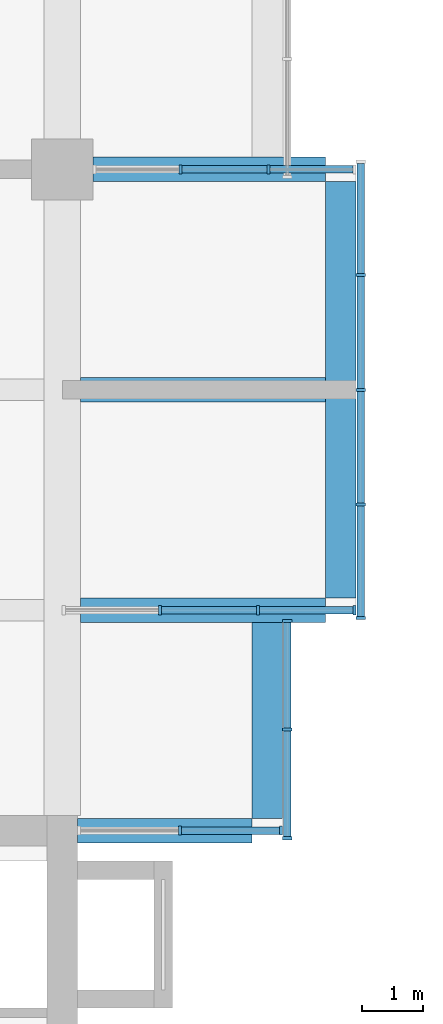
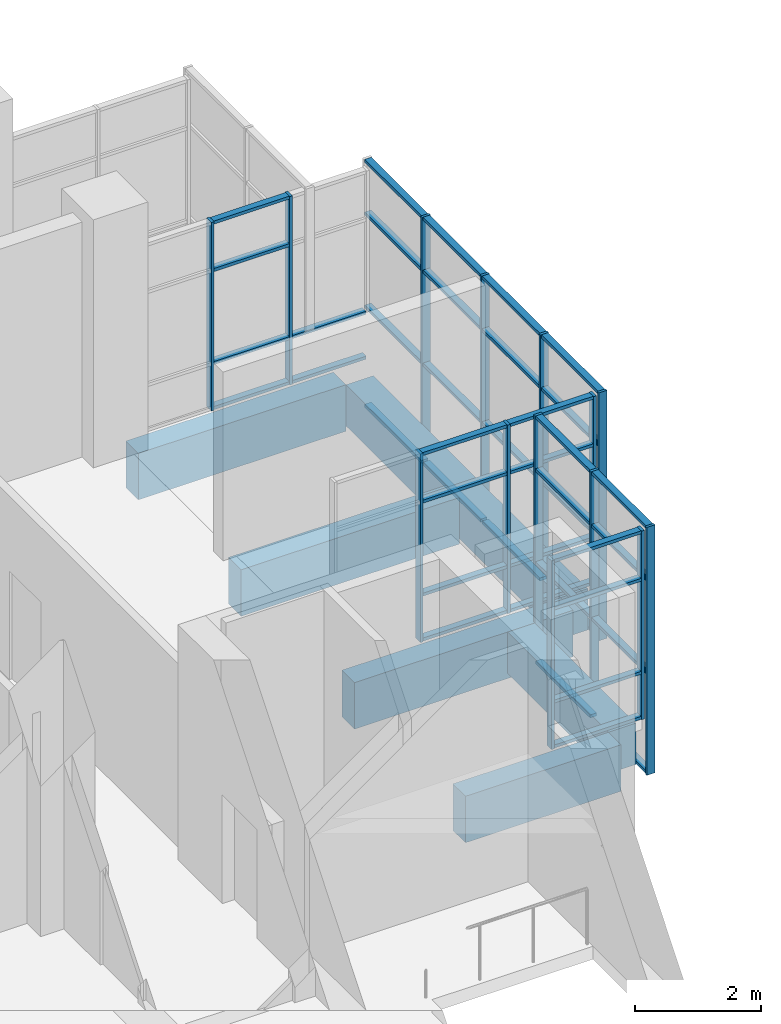
# One storey, part 13 of 44: 56 members, 7 beams, 5 elements without a shape of their own.
"""IFC4 building model written with IfcOpenShell, lengths in metres."""

from ifc_helpers import new_model, si_unit, direction, frame, origin, origin_2d, place, context, subcontext, project, spatial, rectangle, extrude, material, layer, layer_set, material_profile, profile_set, type_object, element, aggregate, save


model = new_model("IFC4")

# Units and contexts
model_context = context("Model", 3, precision=1e-05, world=origin(), true_north=direction((0.0, 1.0)))
body_context = subcontext(model_context, "Body", "Model", "MODEL_VIEW")
ifc_project = project(units=[si_unit("LENGTHUNIT", "METRE"), si_unit("AREAUNIT", "SQUARE_METRE"), si_unit("VOLUMEUNIT", "CUBIC_METRE"), si_unit("PLANEANGLEUNIT", "RADIAN"), si_unit("MASSUNIT", "GRAM", prefix="KILO")], contexts=[model_context])

# Site, building, storey
site_placement = place(None, origin())
site = spatial("IfcSite", under=ifc_project, at=site_placement, CompositionType="ELEMENT")
building_placement = place(site_placement, origin())
building = spatial("IfcBuilding", under=site, at=building_placement, Name="Basin Gate Institute", CompositionType="ELEMENT")
storey_placement = place(building_placement, frame((0.0, 0.0, 27.0)))
storey = spatial("IfcBuildingStorey", under=building, at=storey_placement, Name="L05", CompositionType="ELEMENT", Elevation=27.0)

# Beams
ifc_material_1 = material(Name="Concrete 50 MPa", Category="concrete")
ifc_material_profile_1 = material_profile(ifc_material_1, rectangle(XDim=0.39990234375, YDim=0.89990234375, at=origin_2d()), Name="Cantilever beam B3 400 x 900")
ifc_profile_set_1 = profile_set([ifc_material_profile_1], Name="Concrete 50 MPa")
beam_type_1 = type_object("IfcBeamType", Name="Cantilever beam B3 R120", PredefinedType="BEAM", material=ifc_profile_set_1)
beam_1_placement = place(storey_placement, frame((121.89990234375, 45.89990234375, -0.699951171875), z_axis=(-1.0, 0.0, 0.0), x_axis=(0.0, -1.0, 0.0)))
element("IfcBeam", 1, at=beam_1_placement, inside=storey, type_object=beam_type_1, material=ifc_profile_set_1, Name="BEAM/L05/E/CANT/04", PredefinedType="BEAM", context=body_context, shape_type="SweptSolid", body=[
    extrude(rectangle(XDim=0.39990234375, YDim=0.89990234375, at=origin_2d()), origin(), (0.0, 0.0, 1.0), 2.849853515625),
])
for number, where, z_axis, x_axis, name in (
    (2, (123.10009765625, 49.5, -0.699951171875), (-1.0, 0.0, 0.0), (0.0, -1.0, 0.0), "BEAM/L05/E/CANT/05"),
    (3, (123.10009765625, 53.10009765625, -0.699951171875), (-1.0, 0.0, 0.0), (0.0, -1.0, 0.0), "BEAM/L05/E/CANT/06"),
):
    element("IfcBeam", number, at=place(storey_placement, frame(where, z_axis=z_axis, x_axis=x_axis)), inside=storey, type_object=beam_type_1, material=ifc_profile_set_1, Name=name, PredefinedType="BEAM", context=body_context, shape_type="SweptSolid", body=[
        extrude(rectangle(XDim=0.39990234375, YDim=0.89990234375, at=origin_2d()), origin(), (0.0, 0.0, 1.0), 4.0),
    ])
beam_2_placement = place(storey_placement, frame((123.10009765625, 56.699951171875, -0.699951171875), z_axis=(-1.0, 0.0, 0.0), x_axis=(0.0, -1.0, 0.0)))
element("IfcBeam", 4, at=beam_2_placement, inside=storey, type_object=beam_type_1, material=ifc_profile_set_1, Name="BEAM/L05/E/CANT/07", PredefinedType="BEAM", context=body_context, shape_type="SweptSolid", body=[
    extrude(rectangle(XDim=0.39990234375, YDim=0.89990234375, at=origin_2d()), origin(), (0.0, 0.0, 1.0), 3.800048828125),
])

# Curtain wall, members
ifc_material_2 = material(Name="Aluminium-framed glazing", Category="aluminium")
ifc_layer = layer(ifc_material_2, 0.14990234375)
ifc_layer_set = layer_set([ifc_layer], Name="Capsule front curtain wall CW1")
curtain_wall_type = type_object("IfcCurtainWallType", Name="Capsule front curtain wall CW1", PredefinedType="NOTDEFINED", material=ifc_layer_set)
curtain_wall_1_placement = place(storey_placement, origin())
curtain_wall_1 = element("IfcCurtainWall", 5, at=curtain_wall_1_placement, inside=storey, type_object=curtain_wall_type, material=ifc_layer_set, Name="Capsule front curtain wall E wing capsule end L05 line 4", PredefinedType="NOTDEFINED")
ifc_material_3 = material(Name="Aluminium", Category="aluminium")
ifc_material_profile_2 = material_profile(ifc_material_3, rectangle(XDim=0.14990234375, YDim=0.050048828125, at=origin_2d()), Name="Mullion MU1 150 x 50")
ifc_profile_set_2 = profile_set([ifc_material_profile_2], Name="Aluminium")
member_type_1 = type_object("IfcMemberType", Name="Mullion MU1", PredefinedType="MULLION", material=ifc_profile_set_2)
member_1_placement = place(storey_placement, frame((122.375, 45.89990234375, 0.0), z_axis=(0.0, 0.0, 1.0), x_axis=(0.0, -1.0, 0.0)))
member_1 = element("IfcMember", 6, at=member_1_placement, type_object=member_type_1, material=ifc_profile_set_2, Name="CW1 mullion 1", PredefinedType="MULLION", context=body_context, shape_type="SweptSolid", body=[
    extrude(rectangle(XDim=0.14990234375, YDim=0.050048828125, at=origin_2d()), origin(), (0.0, 0.0, 1.0), 3.64990234375),
])
member_2_placement = place(storey_placement, frame((120.72509765625, 45.89990234375, 0.0), z_axis=(0.0, 0.0, 1.0), x_axis=(0.0, -1.0, 0.0)))
member_2 = element("IfcMember", 7, at=member_2_placement, type_object=member_type_1, material=ifc_profile_set_2, Name="CW1 mullion 2", PredefinedType="MULLION", context=body_context, shape_type="SweptSolid", body=[
    extrude(rectangle(XDim=0.14990234375, YDim=0.050048828125, at=origin_2d()), origin(), (0.0, 0.0, 1.0), 3.64990234375),
])

curtain_wall_2_placement = place(storey_placement, origin())
curtain_wall_2 = element("IfcCurtainWall", 8, at=curtain_wall_2_placement, inside=storey, type_object=curtain_wall_type, material=ifc_layer_set, Name="Capsule front curtain wall E wing capsule end L05 line 5", PredefinedType="NOTDEFINED")
member_3_placement = place(storey_placement, frame((123.574951171875, 49.5, 0.0), z_axis=(0.0, 0.0, 1.0), x_axis=(0.0, -1.0, 0.0)))
member_3 = element("IfcMember", 9, at=member_3_placement, type_object=member_type_1, material=ifc_profile_set_2, Name="CW1 mullion 1", PredefinedType="MULLION", context=body_context, shape_type="SweptSolid", body=[
    extrude(rectangle(XDim=0.14990234375, YDim=0.050048828125, at=origin_2d()), origin(), (0.0, 0.0, 1.0), 3.64990234375),
])
member_4_placement = place(storey_placement, frame((122.0, 49.5, 0.0), z_axis=(0.0, 0.0, 1.0), x_axis=(0.0, -1.0, 0.0)))
member_4 = element("IfcMember", 10, at=member_4_placement, type_object=member_type_1, material=ifc_profile_set_2, Name="CW1 mullion 2", PredefinedType="MULLION", context=body_context, shape_type="SweptSolid", body=[
    extrude(rectangle(XDim=0.14990234375, YDim=0.050048828125, at=origin_2d()), origin(), (0.0, 0.0, 1.0), 3.64990234375),
])
member_5_placement = place(storey_placement, frame((120.39990234375, 49.5, 0.0), z_axis=(0.0, 0.0, 1.0), x_axis=(0.0, -1.0, 0.0)))
member_5 = element("IfcMember", 11, at=member_5_placement, type_object=member_type_1, material=ifc_profile_set_2, Name="CW1 mullion 3", PredefinedType="MULLION", context=body_context, shape_type="SweptSolid", body=[
    extrude(rectangle(XDim=0.14990234375, YDim=0.050048828125, at=origin_2d()), origin(), (0.0, 0.0, 1.0), 3.64990234375),
])

curtain_wall_3_placement = place(storey_placement, origin())
curtain_wall_3 = element("IfcCurtainWall", 12, at=curtain_wall_3_placement, inside=storey, type_object=curtain_wall_type, material=ifc_layer_set, Name="Capsule front curtain wall E wing capsule end L05 line 7", PredefinedType="NOTDEFINED")
member_6_placement = place(storey_placement, frame((122.166748046875, 56.699951171875, 0.0), z_axis=(0.0, 0.0, 1.0), x_axis=(0.0, -1.0, 0.0)))
member_6 = element("IfcMember", 13, at=member_6_placement, type_object=member_type_1, material=ifc_profile_set_2, Name="CW1 mullion 2", PredefinedType="MULLION", context=body_context, shape_type="SweptSolid", body=[
    extrude(rectangle(XDim=0.14990234375, YDim=0.050048828125, at=origin_2d()), origin(), (0.0, 0.0, 1.0), 3.64990234375),
])
member_7_placement = place(storey_placement, frame((120.7333984375, 56.699951171875, 0.0), z_axis=(0.0, 0.0, 1.0), x_axis=(0.0, -1.0, 0.0)))
member_7 = element("IfcMember", 14, at=member_7_placement, type_object=member_type_1, material=ifc_profile_set_2, Name="CW1 mullion 3", PredefinedType="MULLION", context=body_context, shape_type="SweptSolid", body=[
    extrude(rectangle(XDim=0.14990234375, YDim=0.050048828125, at=origin_2d()), origin(), (0.0, 0.0, 1.0), 3.64990234375),
])

curtain_wall_4_placement = place(storey_placement, origin())
curtain_wall_4 = element("IfcCurtainWall", 15, at=curtain_wall_4_placement, inside=storey, type_object=curtain_wall_type, material=ifc_layer_set, Name="Capsule front curtain wall E wing capsule 1 L05 front 1", PredefinedType="NOTDEFINED")
member_8_placement = place(storey_placement, frame((122.47509765625, 45.77490234375, -1.050048828125), z_axis=(0.0, 0.0, 1.0), x_axis=(-1.0, 0.0, 0.0)))
member_8 = element("IfcMember", 16, at=member_8_placement, type_object=member_type_1, material=ifc_profile_set_2, Name="CW1 mullion 1", PredefinedType="MULLION", context=body_context, shape_type="SweptSolid", body=[
    extrude(rectangle(XDim=0.14990234375, YDim=0.050048828125, at=origin_2d()), origin(), (0.0, 0.0, 1.0), 4.800048828125),
])
member_9_placement = place(storey_placement, frame((122.47509765625, 47.550048828125, -1.050048828125), z_axis=(0.0, 0.0, 1.0), x_axis=(-1.0, 0.0, 0.0)))
member_9 = element("IfcMember", 17, at=member_9_placement, type_object=member_type_1, material=ifc_profile_set_2, Name="CW1 mullion 2", PredefinedType="MULLION", context=body_context, shape_type="SweptSolid", body=[
    extrude(rectangle(XDim=0.14990234375, YDim=0.050048828125, at=origin_2d()), origin(), (0.0, 0.0, 1.0), 4.800048828125),
])
member_10_placement = place(storey_placement, frame((122.47509765625, 49.324951171875, -1.050048828125), z_axis=(0.0, 0.0, 1.0), x_axis=(-1.0, 0.0, 0.0)))
member_10 = element("IfcMember", 18, at=member_10_placement, type_object=member_type_1, material=ifc_profile_set_2, Name="CW1 mullion 3", PredefinedType="MULLION", context=body_context, shape_type="SweptSolid", body=[
    extrude(rectangle(XDim=0.14990234375, YDim=0.050048828125, at=origin_2d()), origin(), (0.0, 0.0, 1.0), 4.800048828125),
])

curtain_wall_5_placement = place(storey_placement, origin())
curtain_wall_5 = element("IfcCurtainWall", 19, at=curtain_wall_5_placement, inside=storey, type_object=curtain_wall_type, material=ifc_layer_set, Name="Capsule front curtain wall E wing capsule 1 L05 front 2", PredefinedType="NOTDEFINED")
member_11_placement = place(storey_placement, frame((123.675048828125, 49.375, -1.050048828125), z_axis=(0.0, 0.0, 1.0), x_axis=(-1.0, 0.0, 0.0)))
member_11 = element("IfcMember", 20, at=member_11_placement, type_object=member_type_1, material=ifc_profile_set_2, Name="CW1 mullion 1", PredefinedType="MULLION", context=body_context, shape_type="SweptSolid", body=[
    extrude(rectangle(XDim=0.14990234375, YDim=0.050048828125, at=origin_2d()), origin(), (0.0, 0.0, 1.0), 4.800048828125),
])
member_12_placement = place(storey_placement, frame((123.675048828125, 51.22509765625, -1.050048828125), z_axis=(0.0, 0.0, 1.0), x_axis=(-1.0, 0.0, 0.0)))
member_12 = element("IfcMember", 21, at=member_12_placement, type_object=member_type_1, material=ifc_profile_set_2, Name="CW1 mullion 2", PredefinedType="MULLION", context=body_context, shape_type="SweptSolid", body=[
    extrude(rectangle(XDim=0.14990234375, YDim=0.050048828125, at=origin_2d()), origin(), (0.0, 0.0, 1.0), 4.800048828125),
])
member_13_placement = place(storey_placement, frame((123.675048828125, 53.10009765625, -1.050048828125), z_axis=(0.0, 0.0, 1.0), x_axis=(-1.0, 0.0, 0.0)))
member_13 = element("IfcMember", 22, at=member_13_placement, type_object=member_type_1, material=ifc_profile_set_2, Name="CW1 mullion 3", PredefinedType="MULLION", context=body_context, shape_type="SweptSolid", body=[
    extrude(rectangle(XDim=0.14990234375, YDim=0.050048828125, at=origin_2d()), origin(), (0.0, 0.0, 1.0), 4.800048828125),
])
member_14_placement = place(storey_placement, frame((123.675048828125, 54.97509765625, -1.050048828125), z_axis=(0.0, 0.0, 1.0), x_axis=(-1.0, 0.0, 0.0)))
member_14 = element("IfcMember", 23, at=member_14_placement, type_object=member_type_1, material=ifc_profile_set_2, Name="CW1 mullion 4", PredefinedType="MULLION", context=body_context, shape_type="SweptSolid", body=[
    extrude(rectangle(XDim=0.14990234375, YDim=0.050048828125, at=origin_2d()), origin(), (0.0, 0.0, 1.0), 4.800048828125),
])

# Beams
ifc_material_4 = material(Name="Concrete 50 MPa", Category="concrete")
ifc_material_profile_3 = material_profile(ifc_material_4, rectangle(XDim=0.5, YDim=0.800048828125, at=origin_2d()), Name="Tip beam TB1 500 x 800")
ifc_profile_set_3 = profile_set([ifc_material_profile_3], Name="Concrete 50 MPa")
beam_type_2 = type_object("IfcBeamType", Name="Tip beam TB1 R120", PredefinedType="SPANDREL", material=ifc_profile_set_3)
beam_3_placement = place(storey_placement, frame((122.14990234375, 46.10009765625, -0.64990234375), z_axis=(0.0, 1.0, 0.0), x_axis=(-1.0, 0.0, 0.0)))
element("IfcBeam", 24, at=beam_3_placement, inside=storey, type_object=beam_type_2, material=ifc_profile_set_3, Name="BEAM/L05/E/TIP/1", PredefinedType="SPANDREL", context=body_context, shape_type="SweptSolid", body=[
    extrude(rectangle(XDim=0.5, YDim=0.800048828125, at=origin_2d()), origin(), (0.0, 0.0, 1.0), 3.199951171875),
])
beam_4_placement = place(storey_placement, frame((123.35009765625, 49.699951171875, -0.64990234375), z_axis=(0.0, 1.0, 0.0), x_axis=(-1.0, 0.0, 0.0)))
element("IfcBeam", 25, at=beam_4_placement, inside=storey, type_object=beam_type_2, material=ifc_profile_set_3, Name="BEAM/L05/E/TIP/2", PredefinedType="SPANDREL", context=body_context, shape_type="SweptSolid", body=[
    extrude(rectangle(XDim=0.5, YDim=0.800048828125, at=origin_2d()), origin(), (0.0, 0.0, 1.0), 3.400146484375),
])
beam_5_placement = place(storey_placement, frame((123.35009765625, 53.10009765625, -0.64990234375), z_axis=(0.0, 1.0, 0.0), x_axis=(-1.0, 0.0, 0.0)))
element("IfcBeam", 26, at=beam_5_placement, inside=storey, type_object=beam_type_2, material=ifc_profile_set_3, Name="BEAM/L05/E/TIP/3", PredefinedType="SPANDREL", context=body_context, shape_type="SweptSolid", body=[
    extrude(rectangle(XDim=0.5, YDim=0.800048828125, at=origin_2d()), origin(), (0.0, 0.0, 1.0), 3.39990234375),
])

# Member
ifc_material_5 = material(Name="Aluminium", Category="aluminium")
ifc_material_profile_4 = material_profile(ifc_material_5, rectangle(XDim=0.1201171875, YDim=0.06005859375, at=origin_2d()), Name="Transom TR1 120 x 60")
ifc_profile_set_4 = profile_set([ifc_material_profile_4], Name="Aluminium")
member_type_2 = type_object("IfcMemberType", Name="Transom TR1", PredefinedType="USERDEFINED", material=ifc_profile_set_4)
member_15_placement = place(storey_placement, frame((122.35009765625, 45.89990234375, 0.030029296875), z_axis=(-1.0, 0.0, 0.0), x_axis=(0.0, -1.0, 0.0)))
member_15 = element("IfcMember", 27, at=member_15_placement, type_object=member_type_2, material=ifc_profile_set_4, Name="CW1 transom 1.1", ObjectType="TRANSOM", PredefinedType="USERDEFINED", context=body_context, shape_type="SweptSolid", body=[
    extrude(rectangle(XDim=0.1201171875, YDim=0.06005859375, at=origin_2d()), origin(), (0.0, 0.0, 1.0), 1.60009765625),
])

member_16_placement = place(storey_placement, frame((122.35009765625, 45.89990234375, 0.89990234375), z_axis=(-1.0, 0.0, 0.0), x_axis=(0.0, -1.0, 0.0)))
member_16 = element("IfcMember", 28, at=member_16_placement, type_object=member_type_2, material=ifc_profile_set_4, Name="CW1 transom 1.2", ObjectType="TRANSOM", PredefinedType="USERDEFINED", context=body_context, shape_type="SweptSolid", body=[
    extrude(rectangle(XDim=0.1201171875, YDim=0.06005859375, at=origin_2d()), origin(), (0.0, 0.0, 1.0), 1.60009765625),
])

member_17_placement = place(storey_placement, frame((122.35009765625, 45.89990234375, 2.699951171875), z_axis=(-1.0, 0.0, 0.0), x_axis=(0.0, -1.0, 0.0)))
member_17 = element("IfcMember", 29, at=member_17_placement, type_object=member_type_2, material=ifc_profile_set_4, Name="CW1 transom 1.3", ObjectType="TRANSOM", PredefinedType="USERDEFINED", context=body_context, shape_type="SweptSolid", body=[
    extrude(rectangle(XDim=0.1201171875, YDim=0.06005859375, at=origin_2d()), origin(), (0.0, 0.0, 1.0), 1.60009765625),
])

member_18_placement = place(storey_placement, frame((122.35009765625, 45.89990234375, 3.6201171875), z_axis=(-1.0, 0.0, 0.0), x_axis=(0.0, -1.0, 0.0)))
member_18 = element("IfcMember", 30, at=member_18_placement, type_object=member_type_2, material=ifc_profile_set_4, Name="CW1 transom 1.4", ObjectType="TRANSOM", PredefinedType="USERDEFINED", context=body_context, shape_type="SweptSolid", body=[
    extrude(rectangle(XDim=0.1201171875, YDim=0.06005859375, at=origin_2d()), origin(), (0.0, 0.0, 1.0), 1.60009765625),
])

aggregate(curtain_wall_1, [member_1, member_2, member_15, member_16, member_17, member_18])

member_19_placement = place(storey_placement, frame((123.550048828125, 49.5, 0.030029296875), z_axis=(-1.0, 0.0, 0.0), x_axis=(0.0, -1.0, 0.0)))
member_19 = element("IfcMember", 31, at=member_19_placement, type_object=member_type_2, material=ifc_profile_set_4, Name="CW1 transom 1.1", ObjectType="TRANSOM", PredefinedType="USERDEFINED", context=body_context, shape_type="SweptSolid", body=[
    extrude(rectangle(XDim=0.1201171875, YDim=0.06005859375, at=origin_2d()), origin(), (0.0, 0.0, 1.0), 1.525146484375),
])

member_20_placement = place(storey_placement, frame((123.550048828125, 49.5, 0.89990234375), z_axis=(-1.0, 0.0, 0.0), x_axis=(0.0, -1.0, 0.0)))
member_20 = element("IfcMember", 32, at=member_20_placement, type_object=member_type_2, material=ifc_profile_set_4, Name="CW1 transom 1.2", ObjectType="TRANSOM", PredefinedType="USERDEFINED", context=body_context, shape_type="SweptSolid", body=[
    extrude(rectangle(XDim=0.1201171875, YDim=0.06005859375, at=origin_2d()), origin(), (0.0, 0.0, 1.0), 1.525146484375),
])

member_21_placement = place(storey_placement, frame((123.550048828125, 49.5, 2.699951171875), z_axis=(-1.0, 0.0, 0.0), x_axis=(0.0, -1.0, 0.0)))
member_21 = element("IfcMember", 33, at=member_21_placement, type_object=member_type_2, material=ifc_profile_set_4, Name="CW1 transom 1.3", ObjectType="TRANSOM", PredefinedType="USERDEFINED", context=body_context, shape_type="SweptSolid", body=[
    extrude(rectangle(XDim=0.1201171875, YDim=0.06005859375, at=origin_2d()), origin(), (0.0, 0.0, 1.0), 1.525146484375),
])

member_22_placement = place(storey_placement, frame((123.550048828125, 49.5, 3.6201171875), z_axis=(-1.0, 0.0, 0.0), x_axis=(0.0, -1.0, 0.0)))
member_22 = element("IfcMember", 34, at=member_22_placement, type_object=member_type_2, material=ifc_profile_set_4, Name="CW1 transom 1.4", ObjectType="TRANSOM", PredefinedType="USERDEFINED", context=body_context, shape_type="SweptSolid", body=[
    extrude(rectangle(XDim=0.1201171875, YDim=0.06005859375, at=origin_2d()), origin(), (0.0, 0.0, 1.0), 1.525146484375),
])

member_23_placement = place(storey_placement, frame((121.97509765625, 49.5, 0.030029296875), z_axis=(-1.0, 0.0, 0.0), x_axis=(0.0, -1.0, 0.0)))
member_23 = element("IfcMember", 35, at=member_23_placement, type_object=member_type_2, material=ifc_profile_set_4, Name="CW1 transom 2.1", ObjectType="TRANSOM", PredefinedType="USERDEFINED", context=body_context, shape_type="SweptSolid", body=[
    extrude(rectangle(XDim=0.1201171875, YDim=0.06005859375, at=origin_2d()), origin(), (0.0, 0.0, 1.0), 1.550048828125),
])

member_24_placement = place(storey_placement, frame((121.97509765625, 49.5, 0.89990234375), z_axis=(-1.0, 0.0, 0.0), x_axis=(0.0, -1.0, 0.0)))
member_24 = element("IfcMember", 36, at=member_24_placement, type_object=member_type_2, material=ifc_profile_set_4, Name="CW1 transom 2.2", ObjectType="TRANSOM", PredefinedType="USERDEFINED", context=body_context, shape_type="SweptSolid", body=[
    extrude(rectangle(XDim=0.1201171875, YDim=0.06005859375, at=origin_2d()), origin(), (0.0, 0.0, 1.0), 1.550048828125),
])

member_25_placement = place(storey_placement, frame((121.97509765625, 49.5, 2.699951171875), z_axis=(-1.0, 0.0, 0.0), x_axis=(0.0, -1.0, 0.0)))
member_25 = element("IfcMember", 37, at=member_25_placement, type_object=member_type_2, material=ifc_profile_set_4, Name="CW1 transom 2.3", ObjectType="TRANSOM", PredefinedType="USERDEFINED", context=body_context, shape_type="SweptSolid", body=[
    extrude(rectangle(XDim=0.1201171875, YDim=0.06005859375, at=origin_2d()), origin(), (0.0, 0.0, 1.0), 1.550048828125),
])

member_26_placement = place(storey_placement, frame((121.97509765625, 49.5, 3.6201171875), z_axis=(-1.0, 0.0, 0.0), x_axis=(0.0, -1.0, 0.0)))
member_26 = element("IfcMember", 38, at=member_26_placement, type_object=member_type_2, material=ifc_profile_set_4, Name="CW1 transom 2.4", ObjectType="TRANSOM", PredefinedType="USERDEFINED", context=body_context, shape_type="SweptSolid", body=[
    extrude(rectangle(XDim=0.1201171875, YDim=0.06005859375, at=origin_2d()), origin(), (0.0, 0.0, 1.0), 1.550048828125),
])

aggregate(curtain_wall_2, [member_3, member_4, member_5, member_19, member_20, member_21, member_22, member_23, member_24, member_25, member_26])

member_27_placement = place(storey_placement, frame((123.550048828125, 56.699951171875, 0.030029296875), z_axis=(-1.0, 0.0, 0.0), x_axis=(0.0, -1.0, 0.0)))
member_27 = element("IfcMember", 39, at=member_27_placement, type_object=member_type_2, material=ifc_profile_set_4, Name="CW1 transom 1.1", ObjectType="TRANSOM", PredefinedType="USERDEFINED", context=body_context, shape_type="SweptSolid", body=[
    extrude(rectangle(XDim=0.1201171875, YDim=0.06005859375, at=origin_2d()), origin(), (0.0, 0.0, 1.0), 1.3583984375),
])

member_28_placement = place(storey_placement, frame((123.550048828125, 56.699951171875, 0.89990234375), z_axis=(-1.0, 0.0, 0.0), x_axis=(0.0, -1.0, 0.0)))
member_28 = element("IfcMember", 40, at=member_28_placement, type_object=member_type_2, material=ifc_profile_set_4, Name="CW1 transom 1.2", ObjectType="TRANSOM", PredefinedType="USERDEFINED", context=body_context, shape_type="SweptSolid", body=[
    extrude(rectangle(XDim=0.1201171875, YDim=0.06005859375, at=origin_2d()), origin(), (0.0, 0.0, 1.0), 1.3583984375),
])

member_29_placement = place(storey_placement, frame((122.1416015625, 56.699951171875, 0.030029296875), z_axis=(-1.0, 0.0, 0.0), x_axis=(0.0, -1.0, 0.0)))
member_29 = element("IfcMember", 41, at=member_29_placement, type_object=member_type_2, material=ifc_profile_set_4, Name="CW1 transom 2.1", ObjectType="TRANSOM", PredefinedType="USERDEFINED", context=body_context, shape_type="SweptSolid", body=[
    extrude(rectangle(XDim=0.1201171875, YDim=0.06005859375, at=origin_2d()), origin(), (0.0, 0.0, 1.0), 1.38330078125),
])

member_30_placement = place(storey_placement, frame((122.1416015625, 56.699951171875, 0.89990234375), z_axis=(-1.0, 0.0, 0.0), x_axis=(0.0, -1.0, 0.0)))
member_30 = element("IfcMember", 42, at=member_30_placement, type_object=member_type_2, material=ifc_profile_set_4, Name="CW1 transom 2.2", ObjectType="TRANSOM", PredefinedType="USERDEFINED", context=body_context, shape_type="SweptSolid", body=[
    extrude(rectangle(XDim=0.1201171875, YDim=0.06005859375, at=origin_2d()), origin(), (0.0, 0.0, 1.0), 1.38330078125),
])

member_31_placement = place(storey_placement, frame((122.1416015625, 56.699951171875, 2.699951171875), z_axis=(-1.0, 0.0, 0.0), x_axis=(0.0, -1.0, 0.0)))
member_31 = element("IfcMember", 43, at=member_31_placement, type_object=member_type_2, material=ifc_profile_set_4, Name="CW1 transom 2.3", ObjectType="TRANSOM", PredefinedType="USERDEFINED", context=body_context, shape_type="SweptSolid", body=[
    extrude(rectangle(XDim=0.1201171875, YDim=0.06005859375, at=origin_2d()), origin(), (0.0, 0.0, 1.0), 1.38330078125),
])

member_32_placement = place(storey_placement, frame((122.1416015625, 56.699951171875, 3.6201171875), z_axis=(-1.0, 0.0, 0.0), x_axis=(0.0, -1.0, 0.0)))
member_32 = element("IfcMember", 44, at=member_32_placement, type_object=member_type_2, material=ifc_profile_set_4, Name="CW1 transom 2.4", ObjectType="TRANSOM", PredefinedType="USERDEFINED", context=body_context, shape_type="SweptSolid", body=[
    extrude(rectangle(XDim=0.1201171875, YDim=0.06005859375, at=origin_2d()), origin(), (0.0, 0.0, 1.0), 1.38330078125),
])

aggregate(curtain_wall_3, [member_6, member_7, member_27, member_28, member_29, member_30, member_31, member_32])

member_33_placement = place(storey_placement, frame((122.47509765625, 45.800048828125, -1.02001953125), z_axis=(0.0, 1.0, 0.0), x_axis=(-1.0, 0.0, 0.0)))
member_33 = element("IfcMember", 45, at=member_33_placement, type_object=member_type_2, material=ifc_profile_set_4, Name="CW1 transom 1.1", ObjectType="TRANSOM", PredefinedType="USERDEFINED", context=body_context, shape_type="SweptSolid", body=[
    extrude(rectangle(XDim=0.1201171875, YDim=0.06005859375, at=origin_2d()), origin(), (0.0, 0.0, 1.0), 1.724853515625),
])

member_34_placement = place(storey_placement, frame((122.47509765625, 45.800048828125, 0.89990234375), z_axis=(0.0, 1.0, 0.0), x_axis=(-1.0, 0.0, 0.0)))
member_34 = element("IfcMember", 46, at=member_34_placement, type_object=member_type_2, material=ifc_profile_set_4, Name="CW1 transom 1.2", ObjectType="TRANSOM", PredefinedType="USERDEFINED", context=body_context, shape_type="SweptSolid", body=[
    extrude(rectangle(XDim=0.1201171875, YDim=0.06005859375, at=origin_2d()), origin(), (0.0, 0.0, 1.0), 1.724853515625),
])

member_35_placement = place(storey_placement, frame((122.47509765625, 45.800048828125, 2.699951171875), z_axis=(0.0, 1.0, 0.0), x_axis=(-1.0, 0.0, 0.0)))
member_35 = element("IfcMember", 47, at=member_35_placement, type_object=member_type_2, material=ifc_profile_set_4, Name="CW1 transom 1.3", ObjectType="TRANSOM", PredefinedType="USERDEFINED", context=body_context, shape_type="SweptSolid", body=[
    extrude(rectangle(XDim=0.1201171875, YDim=0.06005859375, at=origin_2d()), origin(), (0.0, 0.0, 1.0), 1.724853515625),
])

member_36_placement = place(storey_placement, frame((122.47509765625, 45.800048828125, 3.719970703125), z_axis=(0.0, 1.0, 0.0), x_axis=(-1.0, 0.0, 0.0)))
member_36 = element("IfcMember", 48, at=member_36_placement, type_object=member_type_2, material=ifc_profile_set_4, Name="CW1 transom 1.4", ObjectType="TRANSOM", PredefinedType="USERDEFINED", context=body_context, shape_type="SweptSolid", body=[
    extrude(rectangle(XDim=0.1201171875, YDim=0.06005859375, at=origin_2d()), origin(), (0.0, 0.0, 1.0), 1.724853515625),
])

member_37_placement = place(storey_placement, frame((122.47509765625, 47.574951171875, -1.02001953125), z_axis=(0.0, 1.0, 0.0), x_axis=(-1.0, 0.0, 0.0)))
member_37 = element("IfcMember", 49, at=member_37_placement, type_object=member_type_2, material=ifc_profile_set_4, Name="CW1 transom 2.1", ObjectType="TRANSOM", PredefinedType="USERDEFINED", context=body_context, shape_type="SweptSolid", body=[
    extrude(rectangle(XDim=0.1201171875, YDim=0.06005859375, at=origin_2d()), origin(), (0.0, 0.0, 1.0), 1.72509765625),
])

member_38_placement = place(storey_placement, frame((122.47509765625, 47.574951171875, 0.89990234375), z_axis=(0.0, 1.0, 0.0), x_axis=(-1.0, 0.0, 0.0)))
member_38 = element("IfcMember", 50, at=member_38_placement, type_object=member_type_2, material=ifc_profile_set_4, Name="CW1 transom 2.2", ObjectType="TRANSOM", PredefinedType="USERDEFINED", context=body_context, shape_type="SweptSolid", body=[
    extrude(rectangle(XDim=0.1201171875, YDim=0.06005859375, at=origin_2d()), origin(), (0.0, 0.0, 1.0), 1.72509765625),
])

member_39_placement = place(storey_placement, frame((122.47509765625, 47.574951171875, 2.699951171875), z_axis=(0.0, 1.0, 0.0), x_axis=(-1.0, 0.0, 0.0)))
member_39 = element("IfcMember", 51, at=member_39_placement, type_object=member_type_2, material=ifc_profile_set_4, Name="CW1 transom 2.3", ObjectType="TRANSOM", PredefinedType="USERDEFINED", context=body_context, shape_type="SweptSolid", body=[
    extrude(rectangle(XDim=0.1201171875, YDim=0.06005859375, at=origin_2d()), origin(), (0.0, 0.0, 1.0), 1.72509765625),
])

member_40_placement = place(storey_placement, frame((122.47509765625, 47.574951171875, 3.719970703125), z_axis=(0.0, 1.0, 0.0), x_axis=(-1.0, 0.0, 0.0)))
member_40 = element("IfcMember", 52, at=member_40_placement, type_object=member_type_2, material=ifc_profile_set_4, Name="CW1 transom 2.4", ObjectType="TRANSOM", PredefinedType="USERDEFINED", context=body_context, shape_type="SweptSolid", body=[
    extrude(rectangle(XDim=0.1201171875, YDim=0.06005859375, at=origin_2d()), origin(), (0.0, 0.0, 1.0), 1.72509765625),
])

aggregate(curtain_wall_4, [member_8, member_9, member_10, member_33, member_34, member_35, member_36, member_37, member_38, member_39, member_40])

member_41_placement = place(storey_placement, frame((123.675048828125, 49.39990234375, -1.02001953125), z_axis=(0.0, 1.0, 0.0), x_axis=(-1.0, 0.0, 0.0)))
member_41 = element("IfcMember", 53, at=member_41_placement, type_object=member_type_2, material=ifc_profile_set_4, Name="CW1 transom 1.1", ObjectType="TRANSOM", PredefinedType="USERDEFINED", context=body_context, shape_type="SweptSolid", body=[
    extrude(rectangle(XDim=0.1201171875, YDim=0.06005859375, at=origin_2d()), origin(), (0.0, 0.0, 1.0), 1.800048828125),
])

member_42_placement = place(storey_placement, frame((123.675048828125, 49.39990234375, 0.89990234375), z_axis=(0.0, 1.0, 0.0), x_axis=(-1.0, 0.0, 0.0)))
member_42 = element("IfcMember", 54, at=member_42_placement, type_object=member_type_2, material=ifc_profile_set_4, Name="CW1 transom 1.2", ObjectType="TRANSOM", PredefinedType="USERDEFINED", context=body_context, shape_type="SweptSolid", body=[
    extrude(rectangle(XDim=0.1201171875, YDim=0.06005859375, at=origin_2d()), origin(), (0.0, 0.0, 1.0), 1.800048828125),
])

member_43_placement = place(storey_placement, frame((123.675048828125, 49.39990234375, 2.699951171875), z_axis=(0.0, 1.0, 0.0), x_axis=(-1.0, 0.0, 0.0)))
member_43 = element("IfcMember", 55, at=member_43_placement, type_object=member_type_2, material=ifc_profile_set_4, Name="CW1 transom 1.3", ObjectType="TRANSOM", PredefinedType="USERDEFINED", context=body_context, shape_type="SweptSolid", body=[
    extrude(rectangle(XDim=0.1201171875, YDim=0.06005859375, at=origin_2d()), origin(), (0.0, 0.0, 1.0), 1.800048828125),
])

member_44_placement = place(storey_placement, frame((123.675048828125, 49.39990234375, 3.719970703125), z_axis=(0.0, 1.0, 0.0), x_axis=(-1.0, 0.0, 0.0)))
member_44 = element("IfcMember", 56, at=member_44_placement, type_object=member_type_2, material=ifc_profile_set_4, Name="CW1 transom 1.4", ObjectType="TRANSOM", PredefinedType="USERDEFINED", context=body_context, shape_type="SweptSolid", body=[
    extrude(rectangle(XDim=0.1201171875, YDim=0.06005859375, at=origin_2d()), origin(), (0.0, 0.0, 1.0), 1.800048828125),
])

member_45_placement = place(storey_placement, frame((123.675048828125, 51.25, -1.02001953125), z_axis=(0.0, 1.0, 0.0), x_axis=(-1.0, 0.0, 0.0)))
member_45 = element("IfcMember", 57, at=member_45_placement, type_object=member_type_2, material=ifc_profile_set_4, Name="CW1 transom 2.1", ObjectType="TRANSOM", PredefinedType="USERDEFINED", context=body_context, shape_type="SweptSolid", body=[
    extrude(rectangle(XDim=0.1201171875, YDim=0.06005859375, at=origin_2d()), origin(), (0.0, 0.0, 1.0), 1.824951171875),
])

member_46_placement = place(storey_placement, frame((123.675048828125, 51.25, 0.89990234375), z_axis=(0.0, 1.0, 0.0), x_axis=(-1.0, 0.0, 0.0)))
member_46 = element("IfcMember", 58, at=member_46_placement, type_object=member_type_2, material=ifc_profile_set_4, Name="CW1 transom 2.2", ObjectType="TRANSOM", PredefinedType="USERDEFINED", context=body_context, shape_type="SweptSolid", body=[
    extrude(rectangle(XDim=0.1201171875, YDim=0.06005859375, at=origin_2d()), origin(), (0.0, 0.0, 1.0), 1.824951171875),
])

member_47_placement = place(storey_placement, frame((123.675048828125, 51.25, 2.699951171875), z_axis=(0.0, 1.0, 0.0), x_axis=(-1.0, 0.0, 0.0)))
member_47 = element("IfcMember", 59, at=member_47_placement, type_object=member_type_2, material=ifc_profile_set_4, Name="CW1 transom 2.3", ObjectType="TRANSOM", PredefinedType="USERDEFINED", context=body_context, shape_type="SweptSolid", body=[
    extrude(rectangle(XDim=0.1201171875, YDim=0.06005859375, at=origin_2d()), origin(), (0.0, 0.0, 1.0), 1.824951171875),
])

member_48_placement = place(storey_placement, frame((123.675048828125, 51.25, 3.719970703125), z_axis=(0.0, 1.0, 0.0), x_axis=(-1.0, 0.0, 0.0)))
member_48 = element("IfcMember", 60, at=member_48_placement, type_object=member_type_2, material=ifc_profile_set_4, Name="CW1 transom 2.4", ObjectType="TRANSOM", PredefinedType="USERDEFINED", context=body_context, shape_type="SweptSolid", body=[
    extrude(rectangle(XDim=0.1201171875, YDim=0.06005859375, at=origin_2d()), origin(), (0.0, 0.0, 1.0), 1.824951171875),
])

member_49_placement = place(storey_placement, frame((123.675048828125, 53.125, -1.02001953125), z_axis=(0.0, 1.0, 0.0), x_axis=(-1.0, 0.0, 0.0)))
member_49 = element("IfcMember", 61, at=member_49_placement, type_object=member_type_2, material=ifc_profile_set_4, Name="CW1 transom 3.1", ObjectType="TRANSOM", PredefinedType="USERDEFINED", context=body_context, shape_type="SweptSolid", body=[
    extrude(rectangle(XDim=0.1201171875, YDim=0.06005859375, at=origin_2d()), origin(), (0.0, 0.0, 1.0), 1.824951171875),
])

member_50_placement = place(storey_placement, frame((123.675048828125, 53.125, 0.89990234375), z_axis=(0.0, 1.0, 0.0), x_axis=(-1.0, 0.0, 0.0)))
member_50 = element("IfcMember", 62, at=member_50_placement, type_object=member_type_2, material=ifc_profile_set_4, Name="CW1 transom 3.2", ObjectType="TRANSOM", PredefinedType="USERDEFINED", context=body_context, shape_type="SweptSolid", body=[
    extrude(rectangle(XDim=0.1201171875, YDim=0.06005859375, at=origin_2d()), origin(), (0.0, 0.0, 1.0), 1.824951171875),
])

member_51_placement = place(storey_placement, frame((123.675048828125, 53.125, 2.699951171875), z_axis=(0.0, 1.0, 0.0), x_axis=(-1.0, 0.0, 0.0)))
member_51 = element("IfcMember", 63, at=member_51_placement, type_object=member_type_2, material=ifc_profile_set_4, Name="CW1 transom 3.3", ObjectType="TRANSOM", PredefinedType="USERDEFINED", context=body_context, shape_type="SweptSolid", body=[
    extrude(rectangle(XDim=0.1201171875, YDim=0.06005859375, at=origin_2d()), origin(), (0.0, 0.0, 1.0), 1.824951171875),
])

member_52_placement = place(storey_placement, frame((123.675048828125, 53.125, 3.719970703125), z_axis=(0.0, 1.0, 0.0), x_axis=(-1.0, 0.0, 0.0)))
member_52 = element("IfcMember", 64, at=member_52_placement, type_object=member_type_2, material=ifc_profile_set_4, Name="CW1 transom 3.4", ObjectType="TRANSOM", PredefinedType="USERDEFINED", context=body_context, shape_type="SweptSolid", body=[
    extrude(rectangle(XDim=0.1201171875, YDim=0.06005859375, at=origin_2d()), origin(), (0.0, 0.0, 1.0), 1.824951171875),
])

member_53_placement = place(storey_placement, frame((123.675048828125, 55.0, -1.02001953125), z_axis=(0.0, 1.0, 0.0), x_axis=(-1.0, 0.0, 0.0)))
member_53 = element("IfcMember", 65, at=member_53_placement, type_object=member_type_2, material=ifc_profile_set_4, Name="CW1 transom 4.1", ObjectType="TRANSOM", PredefinedType="USERDEFINED", context=body_context, shape_type="SweptSolid", body=[
    extrude(rectangle(XDim=0.1201171875, YDim=0.06005859375, at=origin_2d()), origin(), (0.0, 0.0, 1.0), 1.800048828125),
])

member_54_placement = place(storey_placement, frame((123.675048828125, 55.0, 0.89990234375), z_axis=(0.0, 1.0, 0.0), x_axis=(-1.0, 0.0, 0.0)))
member_54 = element("IfcMember", 66, at=member_54_placement, type_object=member_type_2, material=ifc_profile_set_4, Name="CW1 transom 4.2", ObjectType="TRANSOM", PredefinedType="USERDEFINED", context=body_context, shape_type="SweptSolid", body=[
    extrude(rectangle(XDim=0.1201171875, YDim=0.06005859375, at=origin_2d()), origin(), (0.0, 0.0, 1.0), 1.800048828125),
])

member_55_placement = place(storey_placement, frame((123.675048828125, 55.0, 2.699951171875), z_axis=(0.0, 1.0, 0.0), x_axis=(-1.0, 0.0, 0.0)))
member_55 = element("IfcMember", 67, at=member_55_placement, type_object=member_type_2, material=ifc_profile_set_4, Name="CW1 transom 4.3", ObjectType="TRANSOM", PredefinedType="USERDEFINED", context=body_context, shape_type="SweptSolid", body=[
    extrude(rectangle(XDim=0.1201171875, YDim=0.06005859375, at=origin_2d()), origin(), (0.0, 0.0, 1.0), 1.800048828125),
])

member_56_placement = place(storey_placement, frame((123.675048828125, 55.0, 3.719970703125), z_axis=(0.0, 1.0, 0.0), x_axis=(-1.0, 0.0, 0.0)))
member_56 = element("IfcMember", 68, at=member_56_placement, type_object=member_type_2, material=ifc_profile_set_4, Name="CW1 transom 4.4", ObjectType="TRANSOM", PredefinedType="USERDEFINED", context=body_context, shape_type="SweptSolid", body=[
    extrude(rectangle(XDim=0.1201171875, YDim=0.06005859375, at=origin_2d()), origin(), (0.0, 0.0, 1.0), 1.800048828125),
])

aggregate(curtain_wall_5, [member_11, member_12, member_13, member_14, member_41, member_42, member_43, member_44, member_45, member_46, member_47, member_48, member_49, member_50, member_51, member_52, member_53, member_54, member_55, member_56])

save(model, "model.ifc")
